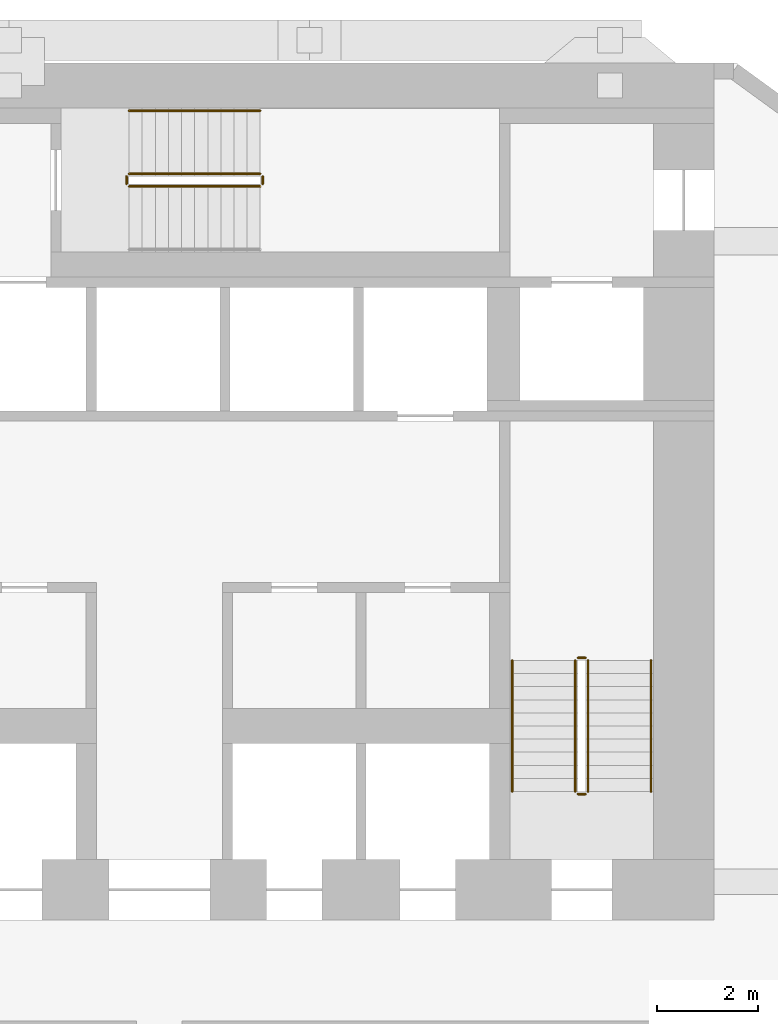
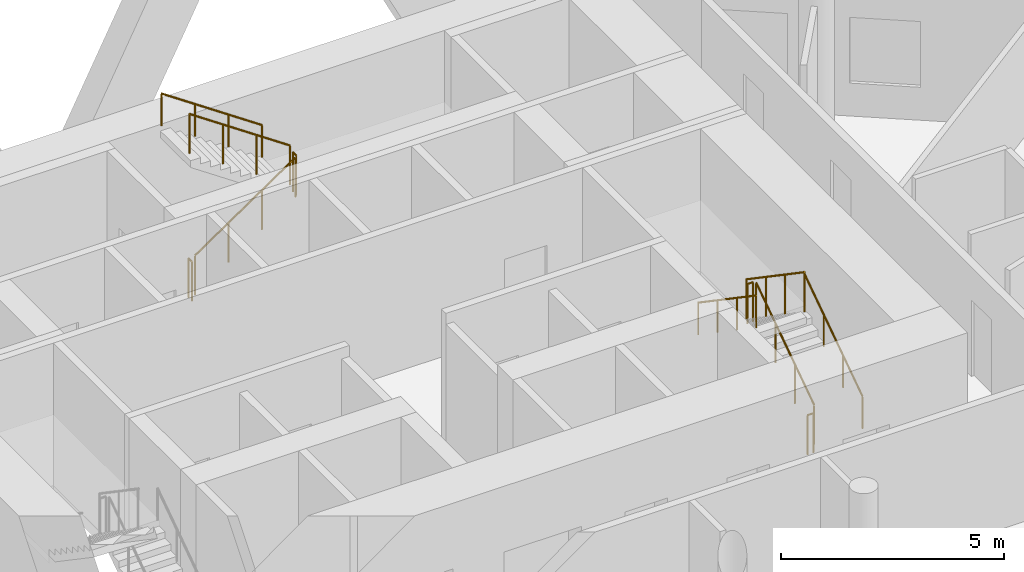
# One storey, part 10 of 10: 11 railings.
"""IFC4 building model written with IfcOpenShell, lengths in metres."""

from ifc_helpers import new_model, si_unit, direction, frame, origin, origin_2d, place, context, subcontext, project, spatial, circle, extrude, material, type_object, element, save


model = new_model("IFC4")

# Units and contexts
model_context = context("Model", 3, precision=1e-05, world=origin(), true_north=direction((0.0, 1.0)))
body_context = subcontext(model_context, "Body", "Model", "MODEL_VIEW")
ifc_project = project(units=[si_unit("LENGTHUNIT", "METRE"), si_unit("AREAUNIT", "SQUARE_METRE"), si_unit("VOLUMEUNIT", "CUBIC_METRE"), si_unit("PLANEANGLEUNIT", "RADIAN"), si_unit("MASSUNIT", "GRAM", prefix="KILO")], contexts=[model_context])

# Site, building, storey
site_placement = place(None, origin())
site = spatial("IfcSite", under=ifc_project, at=site_placement, CompositionType="ELEMENT")
building_placement = place(site_placement, origin())
building = spatial("IfcBuilding", under=site, at=building_placement, Name="White Candle Pilgrim Tower", CompositionType="ELEMENT")
storey_placement = place(building_placement, frame((0.0, 0.0, 42.89990234375)))
storey = spatial("IfcBuildingStorey", under=building, at=storey_placement, Name="L07", CompositionType="ELEMENT", Elevation=42.89990234375)

# Railings
ifc_material = material(Name="Stainless steel", Category="steel")
railing_type_1 = type_object("IfcRailingType", Name="Stair guard stainless steel 1100 mm", PredefinedType="GUARDRAIL", material=ifc_material)
railing_1_placement = place(storey_placement, frame((78.5, 73.550048828125, 0.177490234375)))
element("IfcRailing", 1, at=railing_1_placement, inside=storey, type_object=railing_type_1, Name="L07 ST2 stair guard 1", PredefinedType="GUARDRAIL", context=body_context, shape_type="SweptSolid", body=[
    extrude(circle(Radius=0.02392578125, at=origin_2d()), frame((0.0, 0.0, 1.076171875), z_axis=(0.0, 0.826215852431, 0.563353676824), x_axis=(-1.0, 0.0, 0.0)), (0.0, 0.0, 1.0), 3.146728515625),
    extrude(circle(Radius=0.02099609375, at=origin_2d()), origin(), (0.0, 0.0, 1.0), 1.052001953125),
    extrude(circle(Radius=0.02099609375, at=origin_2d()), frame((0.0, 0.86669921875, 0.5908203125)), (0.0, 0.0, 1.0), 1.052001953125),
    extrude(circle(Radius=0.02099609375, at=origin_2d()), frame((0.0, 1.733154296875, 1.181884765625)), (0.0, 0.0, 1.0), 1.052001953125),
    extrude(circle(Radius=0.02099609375, at=origin_2d()), frame((0.0, 2.599853515625, 1.772705078125)), (0.0, 0.0, 1.0), 1.052001953125),
])
railing_2_placement = place(storey_placement, frame((78.449951171875, 76.199951171875, 1.9501953125)))
element("IfcRailing", 2, at=railing_2_placement, inside=storey, type_object=railing_type_1, Name="L07 ST2 stair guard 2", PredefinedType="GUARDRAIL", context=body_context, shape_type="SweptSolid", body=[
    extrude(circle(Radius=0.02392578125, at=origin_2d()), frame((0.0, 0.0, 1.076171875), z_axis=(-1.0, 0.0, 0.0), x_axis=(0.0, -1.0, 0.0)), (0.0, 0.0, 1.0), 0.14990234375),
    extrude(circle(Radius=0.02099609375, at=origin_2d()), origin(), (0.0, 0.0, 1.0), 1.052001953125),
    extrude(circle(Radius=0.02099609375, at=origin_2d()), frame((-0.14990234375, 0.0, 0.0)), (0.0, 0.0, 1.0), 1.052001953125),
])
railing_3_placement = place(storey_placement, frame((78.25, 76.14990234375, 2.12744140625)))
element("IfcRailing", 3, at=railing_3_placement, inside=storey, type_object=railing_type_1, Name="L07 ST2 stair guard 3", PredefinedType="GUARDRAIL", context=body_context, shape_type="SweptSolid", body=[
    extrude(circle(Radius=0.02392578125, at=origin_2d()), frame((0.0, 0.0, 1.076171875), z_axis=(0.0, -0.826215852431, 0.563353676824), x_axis=(1.0, 0.0, 0.0)), (0.0, 0.0, 1.0), 3.146728515625),
    extrude(circle(Radius=0.02099609375, at=origin_2d()), origin(), (0.0, 0.0, 1.0), 1.052001953125),
    extrude(circle(Radius=0.02099609375, at=origin_2d()), frame((0.0, -0.86669921875, 0.5908203125)), (0.0, 0.0, 1.0), 1.052001953125),
    extrude(circle(Radius=0.02099609375, at=origin_2d()), frame((0.0, -1.733154296875, 1.181884765625)), (0.0, 0.0, 1.0), 1.052001953125),
    extrude(circle(Radius=0.02099609375, at=origin_2d()), frame((0.0, -2.599853515625, 1.772705078125)), (0.0, 0.0, 1.0), 1.052001953125),
])
railing_4_placement = place(storey_placement, frame((78.449951171875, 73.5, 0.0)))
element("IfcRailing", 4, at=railing_4_placement, inside=storey, type_object=railing_type_1, Name="L07 ST2 stair guard 4", PredefinedType="GUARDRAIL", context=body_context, shape_type="SweptSolid", body=[
    extrude(circle(Radius=0.02392578125, at=origin_2d()), frame((0.0, 0.0, 1.076171875), z_axis=(-1.0, 0.0, 0.0), x_axis=(0.0, -1.0, 0.0)), (0.0, 0.0, 1.0), 0.14990234375),
    extrude(circle(Radius=0.02099609375, at=origin_2d()), origin(), (0.0, 0.0, 1.0), 1.052001953125),
    extrude(circle(Radius=0.02099609375, at=origin_2d()), frame((-0.14990234375, 0.0, 0.0)), (0.0, 0.0, 1.0), 1.052001953125),
])
railing_5_placement = place(storey_placement, frame((69.39990234375, 85.550048828125, 0.177490234375)))
element("IfcRailing", 5, at=railing_5_placement, inside=storey, type_object=railing_type_1, Name="L07 ST3 stair guard 1", PredefinedType="GUARDRAIL", context=body_context, shape_type="SweptSolid", body=[
    extrude(circle(Radius=0.02392578125, at=origin_2d()), frame((0.0, 0.0, 1.076171875), z_axis=(0.826240473404, 0.0, 0.563317565952), x_axis=(0.0, 1.0, 0.0)), (0.0, 0.0, 1.0), 3.14697265625),
    extrude(circle(Radius=0.02099609375, at=origin_2d()), origin(), (0.0, 0.0, 1.0), 1.052001953125),
    extrude(circle(Radius=0.02099609375, at=origin_2d()), frame((0.86669921875, 0.0, 0.5908203125)), (0.0, 0.0, 1.0), 1.052001953125),
    extrude(circle(Radius=0.02099609375, at=origin_2d()), frame((1.7333984375, 0.0, 1.181884765625)), (0.0, 0.0, 1.0), 1.052001953125),
    extrude(circle(Radius=0.02099609375, at=origin_2d()), frame((2.60009765625, 0.0, 1.772705078125)), (0.0, 0.0, 1.0), 1.052001953125),
])
railing_6_placement = place(storey_placement, frame((72.050048828125, 85.60009765625, 1.9501953125)))
element("IfcRailing", 6, at=railing_6_placement, inside=storey, type_object=railing_type_1, Name="L07 ST3 stair guard 2", PredefinedType="GUARDRAIL", context=body_context, shape_type="SweptSolid", body=[
    extrude(circle(Radius=0.02392578125, at=origin_2d()), frame((0.0, 0.0, 1.076171875), z_axis=(0.0, 1.0, 0.0), x_axis=(-1.0, 0.0, 0.0)), (0.0, 0.0, 1.0), 0.14990234375),
    extrude(circle(Radius=0.02099609375, at=origin_2d()), origin(), (0.0, 0.0, 1.0), 1.052001953125),
    extrude(circle(Radius=0.02099609375, at=origin_2d()), frame((0.0, 0.14990234375, 0.0)), (0.0, 0.0, 1.0), 1.052001953125),
])
railing_7_placement = place(storey_placement, frame((72.0, 85.800048828125, 2.12744140625)))
element("IfcRailing", 7, at=railing_7_placement, inside=storey, type_object=railing_type_1, Name="L07 ST3 stair guard 3", PredefinedType="GUARDRAIL", context=body_context, shape_type="SweptSolid", body=[
    extrude(circle(Radius=0.02392578125, at=origin_2d()), frame((0.0, 0.0, 1.076171875), z_axis=(-0.826240473404, 0.0, 0.563317565952), x_axis=(0.0, -1.0, 0.0)), (0.0, 0.0, 1.0), 3.14697265625),
    extrude(circle(Radius=0.02099609375, at=origin_2d()), origin(), (0.0, 0.0, 1.0), 1.052001953125),
    extrude(circle(Radius=0.02099609375, at=origin_2d()), frame((-0.86669921875, 0.0, 0.5908203125)), (0.0, 0.0, 1.0), 1.052001953125),
    extrude(circle(Radius=0.02099609375, at=origin_2d()), frame((-1.7333984375, 0.0, 1.181884765625)), (0.0, 0.0, 1.0), 1.052001953125),
    extrude(circle(Radius=0.02099609375, at=origin_2d()), frame((-2.60009765625, 0.0, 1.772705078125)), (0.0, 0.0, 1.0), 1.052001953125),
])
railing_8_placement = place(storey_placement, frame((69.35009765625, 85.60009765625, 0.0)))
element("IfcRailing", 8, at=railing_8_placement, inside=storey, type_object=railing_type_1, Name="L07 ST3 stair guard 4", PredefinedType="GUARDRAIL", context=body_context, shape_type="SweptSolid", body=[
    extrude(circle(Radius=0.02392578125, at=origin_2d()), frame((0.0, 0.0, 1.076171875), z_axis=(0.0, 1.0, 0.0), x_axis=(-1.0, 0.0, 0.0)), (0.0, 0.0, 1.0), 0.14990234375),
    extrude(circle(Radius=0.02099609375, at=origin_2d()), origin(), (0.0, 0.0, 1.0), 1.052001953125),
    extrude(circle(Radius=0.02099609375, at=origin_2d()), frame((0.0, 0.14990234375, 0.0)), (0.0, 0.0, 1.0), 1.052001953125),
])
railing_type_2 = type_object("IfcRailingType", Name="Stair handrail stainless steel", PredefinedType="HANDRAIL", material=ifc_material)
railing_9_placement = place(storey_placement, frame((79.75, 73.550048828125, 0.177490234375)))
element("IfcRailing", 9, at=railing_9_placement, inside=storey, type_object=railing_type_2, Name="L07 ST2 stair handrail 1", PredefinedType="HANDRAIL", context=body_context, shape_type="SweptSolid", body=[
    extrude(circle(Radius=0.02392578125, at=origin_2d()), frame((0.0, 0.0, 0.8759765625), z_axis=(0.0, 0.826215852431, 0.563353676824), x_axis=(-1.0, 0.0, 0.0)), (0.0, 0.0, 1.0), 3.146728515625),
    extrude(circle(Radius=0.02099609375, at=origin_2d()), origin(), (0.0, 0.0, 1.0), 0.851806640625),
    extrude(circle(Radius=0.02099609375, at=origin_2d()), frame((0.0, 0.86669921875, 0.5908203125)), (0.0, 0.0, 1.0), 0.851806640625),
    extrude(circle(Radius=0.02099609375, at=origin_2d()), frame((0.0, 1.733154296875, 1.181884765625)), (0.0, 0.0, 1.0), 0.851806640625),
    extrude(circle(Radius=0.02099609375, at=origin_2d()), frame((0.0, 2.599853515625, 1.772705078125)), (0.0, 0.0, 1.0), 0.851806640625),
])
railing_10_placement = place(storey_placement, frame((77.0, 76.14990234375, 2.12744140625)))
element("IfcRailing", 10, at=railing_10_placement, inside=storey, type_object=railing_type_2, Name="L07 ST2 stair handrail 2", PredefinedType="HANDRAIL", context=body_context, shape_type="SweptSolid", body=[
    extrude(circle(Radius=0.02392578125, at=origin_2d()), frame((0.0, 0.0, 0.8759765625), z_axis=(0.0, -0.826215852431, 0.563353676824), x_axis=(1.0, 0.0, 0.0)), (0.0, 0.0, 1.0), 3.146728515625),
    extrude(circle(Radius=0.02099609375, at=origin_2d()), origin(), (0.0, 0.0, 1.0), 0.851806640625),
    extrude(circle(Radius=0.02099609375, at=origin_2d()), frame((0.0, -0.86669921875, 0.5908203125)), (0.0, 0.0, 1.0), 0.851806640625),
    extrude(circle(Radius=0.02099609375, at=origin_2d()), frame((0.0, -1.733154296875, 1.181884765625)), (0.0, 0.0, 1.0), 0.851806640625),
    extrude(circle(Radius=0.02099609375, at=origin_2d()), frame((0.0, -2.599853515625, 1.772705078125)), (0.0, 0.0, 1.0), 0.851806640625),
])
railing_11_placement = place(storey_placement, frame((72.0, 87.050048828125, 2.12744140625)))
element("IfcRailing", 11, at=railing_11_placement, inside=storey, type_object=railing_type_2, Name="L07 ST3 stair handrail 2", PredefinedType="HANDRAIL", context=body_context, shape_type="SweptSolid", body=[
    extrude(circle(Radius=0.02392578125, at=origin_2d()), frame((0.0, 0.0, 0.8759765625), z_axis=(-0.826240473404, 0.0, 0.563317565952), x_axis=(0.0, -1.0, 0.0)), (0.0, 0.0, 1.0), 3.14697265625),
    extrude(circle(Radius=0.02099609375, at=origin_2d()), origin(), (0.0, 0.0, 1.0), 0.851806640625),
    extrude(circle(Radius=0.02099609375, at=origin_2d()), frame((-0.86669921875, 0.0, 0.5908203125)), (0.0, 0.0, 1.0), 0.851806640625),
    extrude(circle(Radius=0.02099609375, at=origin_2d()), frame((-1.7333984375, 0.0, 1.181884765625)), (0.0, 0.0, 1.0), 0.851806640625),
    extrude(circle(Radius=0.02099609375, at=origin_2d()), frame((-2.60009765625, 0.0, 1.772705078125)), (0.0, 0.0, 1.0), 0.851806640625),
])

save(model, "model.ifc")
